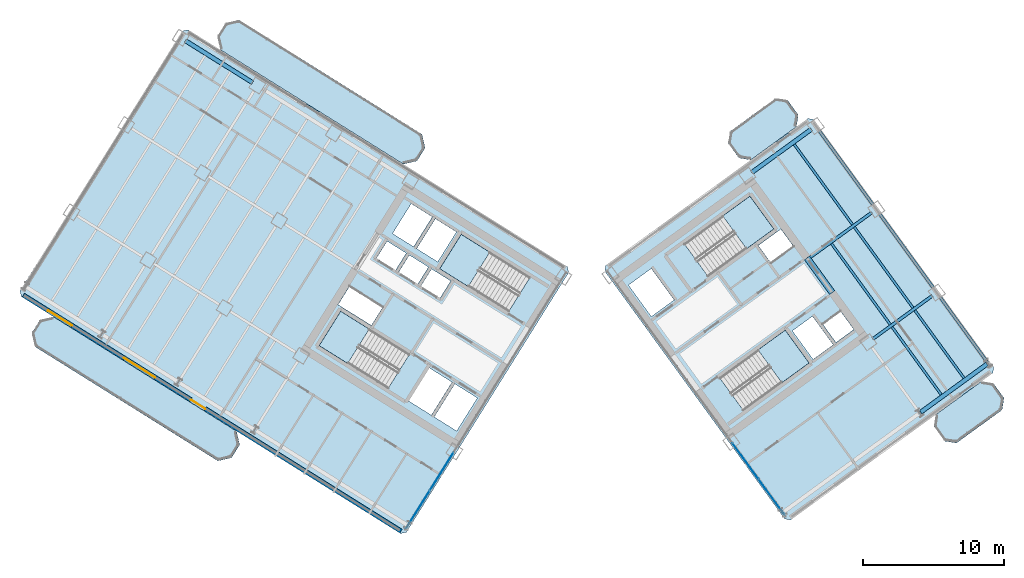
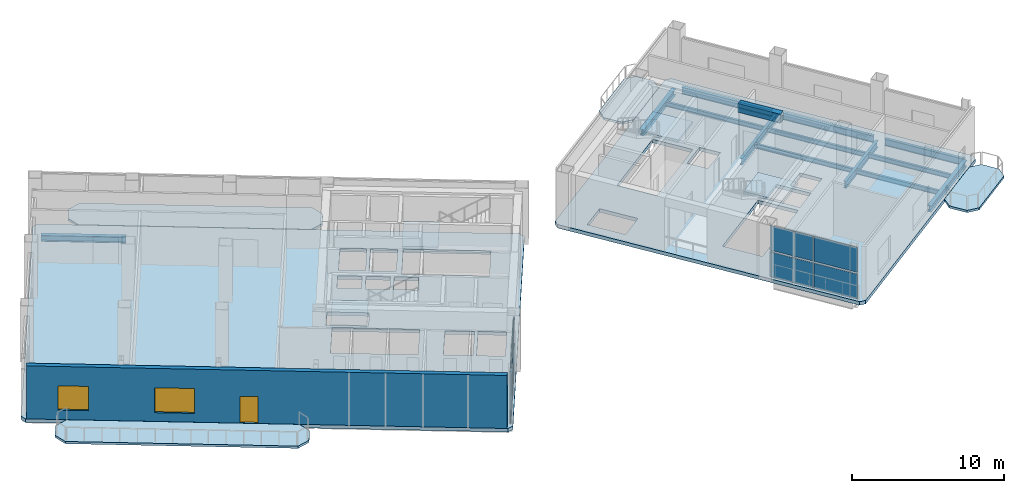
# One storey, part 9 of 18: 14 beams, 10 slabs, 8 plates, 2 windows, 1 door, 1 wall, 3 openings, 6 elements without a shape of their own.
"""IFC4 building model written with IfcOpenShell, lengths in metres."""

from ifc_helpers import new_model, si_unit, direction, frame, frame_2d, origin, origin_2d, place, context, subcontext, project, spatial, polyline, rectangle, i_section, outline, extrude, source, transform, mapped, material, layer, layer_set, material_profile, profile_set, type_object, element, fill, aggregate, save


model = new_model("IFC4")

# Units and contexts
model_context = context("Model", 3, precision=1e-05, world=origin(), true_north=direction((0.0, 1.0)))
body_context = subcontext(model_context, "Body", "Model", "MODEL_VIEW")
ifc_project = project(units=[si_unit("LENGTHUNIT", "METRE"), si_unit("AREAUNIT", "SQUARE_METRE"), si_unit("VOLUMEUNIT", "CUBIC_METRE"), si_unit("PLANEANGLEUNIT", "RADIAN"), si_unit("MASSUNIT", "GRAM", prefix="KILO")], contexts=[model_context])

# Site, building, storey
site_placement = place(None, origin())
site = spatial("IfcSite", under=ifc_project, at=site_placement, CompositionType="ELEMENT")
building_placement = place(site_placement, origin())
building = spatial("IfcBuilding", under=site, at=building_placement, Name="Tlacorven Tower", CompositionType="ELEMENT")
storey_placement = place(building_placement, frame((0.0, 0.0, 136.199951171875)))
storey = spatial("IfcBuildingStorey", under=building, at=storey_placement, Name="L34", CompositionType="ELEMENT", Elevation=136.199951171875)

# Beams
ifc_material_1 = material(Name="Concrete C60/75", Category="concrete")
ifc_material_profile_1 = material_profile(ifc_material_1, rectangle(XDim=0.449951171875, YDim=0.699951171875, at=origin_2d()), Name="RC 450X700")
ifc_profile_set_1 = profile_set([ifc_material_profile_1], Name="Concrete C60/75")
beam_type_1 = type_object("IfcBeamType", Name="BM-LNT-700", PredefinedType="LINTEL", material=ifc_profile_set_1)
shared_shape_1 = source(origin(), body_context, "Body", "SweptSolid", [
    extrude(rectangle(XDim=0.449951171875, YDim=0.699951171875, at=origin_2d()), origin(), (0.0, 0.0, 1.0), 3.050048828125),
])
beam_1_placement = place(storey_placement, frame((59.856689453125, 23.345947265625, 3.900146484375), z_axis=(-0.587776590479, 0.80902328748, 0.0), x_axis=(-0.80902328748, -0.587776590479, 0.0)))
element("IfcBeam", 1, at=beam_1_placement, inside=storey, type_object=beam_type_1, Name="L34 E core coupling lintel beam E2", PredefinedType="LINTEL", context=body_context, shape_type="MappedRepresentation", body=[
    mapped(shared_shape_1, transform((0.0, 0.0, 0.0), scale=1.0)),
])
ifc_material_2 = material(Name="Steel S355J2", Category="steel")
ifc_material_profile_2 = material_profile(ifc_material_2, i_section(OverallWidth=0.300048828125, OverallDepth=0.489990234375, WebThickness=0.011962890625, FlangeThickness=0.02294921875, at=origin_2d()), Name="HEA 500")
ifc_profile_set_2 = profile_set([ifc_material_profile_2], Name="Steel S355J2")
beam_type_2 = type_object("IfcBeamType", Name="BM-SPN-500", PredefinedType="SPANDREL", material=ifc_profile_set_2)
shared_shape_2 = source(origin(), body_context, "Body", "SweptSolid", [
    extrude(i_section(OverallWidth=0.300048828125, OverallDepth=0.489990234375, WebThickness=0.011962890625, FlangeThickness=0.02294921875, at=origin_2d()), origin(), (0.0, 0.0, 1.0), 5.800048828125),
])
beam_2_placement = place(storey_placement, frame((66.138671875, 14.86962890625, -0.52490234375), z_axis=(0.809019944521, 0.587781191743, 0.0), x_axis=(-0.587781191743, 0.809019944521, 0.0)))
element("IfcBeam", 2, at=beam_2_placement, inside=storey, type_object=beam_type_2, Name="L34 beam BM-L34-EL1-3", PredefinedType="SPANDREL", context=body_context, shape_type="MappedRepresentation", body=[
    mapped(shared_shape_2, transform((0.0, 0.0, 0.0), scale=1.0)),
])
shared_shape_3 = source(origin(), body_context, "Body", "SweptSolid", [
    extrude(i_section(OverallWidth=0.300048828125, OverallDepth=0.489990234375, WebThickness=0.011962890625, FlangeThickness=0.02294921875, at=origin_2d()), origin(), (0.0, 0.0, 1.0), 5.599853515625),
])
beam_3_placement = place(storey_placement, frame((18.733642578125, 38.246337890625, -0.52490234375), z_axis=(-0.848047285686, 0.529920561254, 0.0), x_axis=(-0.529920561254, -0.848047285686, 0.0)))
element("IfcBeam", 3, at=beam_3_placement, inside=storey, type_object=beam_type_2, Name="L34 beam BM-L34-WL1-5", PredefinedType="SPANDREL", context=body_context, shape_type="MappedRepresentation", body=[
    mapped(shared_shape_3, transform((0.0, 0.0, 0.0), scale=1.0)),
])
ifc_material_profile_3 = material_profile(ifc_material_2, i_section(OverallWidth=0.2099609375, OverallDepth=0.550048828125, WebThickness=0.010986328125, FlangeThickness=0.01708984375, at=origin_2d()), Name="IPE 550")
ifc_profile_set_3 = profile_set([ifc_material_profile_3], Name="Steel S355J2")
beam_type_3 = type_object("IfcBeamType", Name="BM-TWR-550", PredefinedType="BEAM", material=ifc_profile_set_3)
shared_shape_4 = source(origin(), body_context, "Body", "SweptSolid", [
    extrude(i_section(OverallWidth=0.2099609375, OverallDepth=0.550048828125, WebThickness=0.010986328125, FlangeThickness=0.01708984375, at=origin_2d()), origin(), (0.0, 0.0, 1.0), 5.7001953125),
])
beam_4_placement = place(storey_placement, frame((70.853271484375, 18.41845703125, -0.554931640625), z_axis=(-0.587766699507, 0.809030473438, 0.0), x_axis=(-0.809030473438, -0.587766699507, 0.0)))
element("IfcBeam", 4, at=beam_4_placement, inside=storey, type_object=beam_type_3, Name="L34 beam BM-L34-ET4-1", PredefinedType="BEAM", context=body_context, shape_type="MappedRepresentation", body=[
    mapped(shared_shape_4, transform((0.0, 0.0, 0.0), scale=1.0)),
])
shared_shape_5 = source(origin(), body_context, "Body", "SweptSolid", [
    extrude(i_section(OverallWidth=0.2099609375, OverallDepth=0.550048828125, WebThickness=0.010986328125, FlangeThickness=0.01708984375, at=origin_2d()), origin(), (0.0, 0.0, 1.0), 6.5),
])
for number, where, z_axis, x_axis, name in (
    (5, (67.03271484375, 23.67724609375, -0.554931640625), (-0.587809847215, 0.808999124547, 0.0), (-0.808999124547, -0.587809847215, 0.0), "L34 beam BM-L34-ET4-2"),
    (6, (62.74169921875, 29.5830078125, -0.554931640625), (-0.587785264321, 0.809016985636, 0.0), (-0.809016985636, -0.587785264321, 0.0), "L34 beam BM-L34-ET4-3"),
):
    element("IfcBeam", number, at=place(storey_placement, frame(where, z_axis=z_axis, x_axis=x_axis)), inside=storey, type_object=beam_type_3, Name=name, PredefinedType="BEAM", context=body_context, shape_type="MappedRepresentation", body=[
        mapped(shared_shape_5, transform((0.0, 0.0, 0.0), scale=1.0)),
    ])
ifc_material_profile_4 = material_profile(ifc_material_2, i_section(OverallWidth=0.169921875, OverallDepth=0.360107421875, WebThickness=0.008056640625, FlangeThickness=0.0126953125, at=origin_2d()), Name="IPE 360")
ifc_profile_set_4 = profile_set([ifc_material_profile_4], Name="Steel S355J2")
beam_type_4 = type_object("IfcBeamType", Name="BM-JST-360", PredefinedType="JOIST", material=ifc_profile_set_4)
shared_shape_6 = source(origin(), body_context, "Body", "SweptSolid", [
    extrude(i_section(OverallWidth=0.169921875, OverallDepth=0.360107421875, WebThickness=0.008056640625, FlangeThickness=0.0126953125, at=origin_2d()), origin(), (0.0, 0.0, 1.0), 5.93505859375),
])
for number, where, z_axis, x_axis, name in (
    (7, (67.584716796875, 16.11181640625, -0.4599609375), (-0.58778762431, 0.809015270998, 0.0), (-0.809015270998, -0.58778762431, 0.0), "L34 beam BM-L34-EJ3-1-1"),
    (8, (69.202880859375, 17.287353515625, -0.4599609375), (-0.58778762431, 0.809015270998, 0.0), (-0.809015270998, -0.58778762431, 0.0), "L34 beam BM-L34-EJ3-1-2"),
):
    element("IfcBeam", number, at=place(storey_placement, frame(where, z_axis=z_axis, x_axis=x_axis)), inside=storey, type_object=beam_type_4, Name=name, PredefinedType="JOIST", context=body_context, shape_type="MappedRepresentation", body=[
        mapped(shared_shape_6, transform((0.0, 0.0, 0.0), scale=1.0)),
    ])
shared_shape_7 = source(origin(), body_context, "Body", "SweptSolid", [
    extrude(i_section(OverallWidth=0.169921875, OverallDepth=0.360107421875, WebThickness=0.008056640625, FlangeThickness=0.0126953125, at=origin_2d()), origin(), (0.0, 0.0, 1.0), 7.080078125),
])
beam_5_placement = place(storey_placement, frame((65.5849609375, 22.266845703125, -0.4599609375), z_axis=(-0.587759505125, 0.809035700161, 0.0), x_axis=(-0.809035700161, -0.587759505125, 0.0)))
element("IfcBeam", 9, at=beam_5_placement, inside=storey, type_object=beam_type_4, Name="L34 beam BM-L34-EJ3-2-2", PredefinedType="JOIST", context=body_context, shape_type="MappedRepresentation", body=[
    mapped(shared_shape_7, transform((0.0, 0.0, 0.0), scale=1.0)),
])
shared_shape_8 = source(origin(), body_context, "Body", "SweptSolid", [
    extrude(i_section(OverallWidth=0.2099609375, OverallDepth=0.550048828125, WebThickness=0.010986328125, FlangeThickness=0.01708984375, at=origin_2d()), origin(), (0.0, 0.0, 1.0), 5.56005859375),
])
beam_6_placement = place(storey_placement, frame((58.155029296875, 25.756103515625, -0.554931640625), z_axis=(0.809028396397, 0.587769558435, 0.0), x_axis=(-0.587769558435, 0.809028396397, 0.0)))
element("IfcBeam", 10, at=beam_6_placement, inside=storey, type_object=beam_type_3, Name="L34 beam BM-L34-EL3-3", PredefinedType="BEAM", context=body_context, shape_type="MappedRepresentation", body=[
    mapped(shared_shape_8, transform((0.0, 0.0, 0.0), scale=1.0)),
])
shared_shape_9 = source(origin(), body_context, "Body", "SweptSolid", [
    extrude(i_section(OverallWidth=0.169921875, OverallDepth=0.360107421875, WebThickness=0.008056640625, FlangeThickness=0.0126953125, at=origin_2d()), origin(), (0.0, 0.0, 1.0), 7.034912109375),
])
beam_7_placement = place(storey_placement, frame((61.294189453125, 28.1728515625, -0.4599609375), z_axis=(-0.587781631373, 0.809019625115, 0.0), x_axis=(-0.809019625115, -0.587781631373, 0.0)))
element("IfcBeam", 11, at=beam_7_placement, inside=storey, type_object=beam_type_4, Name="L34 beam BM-L34-EJ3-3-2", PredefinedType="JOIST", context=body_context, shape_type="MappedRepresentation", body=[
    mapped(shared_shape_9, transform((0.0, 0.0, 0.0), scale=1.0)),
])
shared_shape_10 = source(origin(), body_context, "Body", "SweptSolid", [
    extrude(i_section(OverallWidth=0.2099609375, OverallDepth=0.550048828125, WebThickness=0.010986328125, FlangeThickness=0.01708984375, at=origin_2d()), origin(), (0.0, 0.0, 1.0), 5.199951171875),
])
beam_8_placement = place(storey_placement, frame((62.7373046875, 20.06201171875, -0.554931640625), z_axis=(0.809018206713, 0.587783583648, 0.0), x_axis=(-0.587783583648, 0.809018206713, 0.0)))
element("IfcBeam", 12, at=beam_8_placement, inside=storey, type_object=beam_type_3, Name="L34 beam BM-L34-EL2-3", PredefinedType="BEAM", context=body_context, shape_type="MappedRepresentation", body=[
    mapped(shared_shape_10, transform((0.0, 0.0, 0.0), scale=1.0)),
])
shared_shape_11 = source(origin(), body_context, "Body", "SweptSolid", [
    extrude(i_section(OverallWidth=0.300048828125, OverallDepth=0.489990234375, WebThickness=0.011962890625, FlangeThickness=0.02294921875, at=origin_2d()), origin(), (0.0, 0.0, 1.0), 5.2001953125),
])
beam_9_placement = place(storey_placement, frame((54.155517578125, 31.87353515625, -0.52490234375), z_axis=(0.80901210161, 0.587791986546, 0.0), x_axis=(-0.587791986546, 0.80901210161, 0.0)))
element("IfcBeam", 13, at=beam_9_placement, inside=storey, type_object=beam_type_2, Name="L34 beam BM-L34-EL4-3", PredefinedType="SPANDREL", context=body_context, shape_type="MappedRepresentation", body=[
    mapped(shared_shape_11, transform((0.0, 0.0, 0.0), scale=1.0)),
])
shared_shape_12 = source(origin(), body_context, "Body", "SweptSolid", [
    extrude(i_section(OverallWidth=0.169921875, OverallDepth=0.360107421875, WebThickness=0.008056640625, FlangeThickness=0.0126953125, at=origin_2d()), origin(), (0.0, 0.0, 1.0), 7.080322265625),
])
beam_10_placement = place(storey_placement, frame((63.967041015625, 21.09130859375, -0.4599609375), z_axis=(-0.587782074775, 0.809019302967, 0.0), x_axis=(-0.809019302967, -0.587782074775, 0.0)))
element("IfcBeam", 14, at=beam_10_placement, inside=storey, type_object=beam_type_4, Name="L34 beam BM-L34-EJ3-2-1", PredefinedType="JOIST", context=body_context, shape_type="MappedRepresentation", body=[
    mapped(shared_shape_12, transform((0.0, 0.0, 0.0), scale=1.0)),
])

# Slabs
ifc_material_3 = material(Name="Precast concrete C45/55", Category="concrete")
ifc_layer_1 = layer(ifc_material_3, 0.179931640625)
ifc_layer_set_1 = layer_set([ifc_layer_1], Name="Precast concrete C45/55")
slab_type_1 = type_object("IfcSlabType", Name="SL-BAL-180", PredefinedType="USERDEFINED", material=ifc_layer_set_1)
slab_1_placement = place(storey_placement, frame((0.0, 0.0, -0.179931640625)))
element("IfcSlab", 15, at=slab_1_placement, inside=storey, type_object=slab_type_1, Name="L34 West Wing Balcony Ribbon OUT", ObjectType="BALCONY SLAB", PredefinedType="USERDEFINED", context=body_context, shape_type="SweptSolid", body=[
    extrude(outline(polyline([(17.601318359375, 13.52490234375), (4.626220703125, 21.632568359375), (3.66162109375, 21.409912109375), (3.081298828125, 20.4814453125), (3.303955078125, 19.516845703125), (16.279052734375, 11.408935546875), (17.24365234375, 11.6318359375), (17.823974609375, 12.560302734375), (17.601318359375, 13.52490234375)])), origin(), (0.0, 0.0, 1.0), 0.179931640625),
])
slab_2_placement = place(storey_placement, frame((0.0, 0.0, -0.179931640625)))
element("IfcSlab", 16, at=slab_2_placement, inside=storey, type_object=slab_type_1, Name="L34 West Wing Balcony Ribbon IN", ObjectType="BALCONY SLAB", PredefinedType="USERDEFINED", context=body_context, shape_type="SweptSolid", body=[
    extrude(outline(polyline([(30.756591796875, 34.57763671875), (17.781494140625, 42.685546875), (16.81689453125, 42.462890625), (16.236572265625, 41.5341796875), (16.459228515625, 40.569580078125), (29.434326171875, 32.4619140625), (30.39892578125, 32.6845703125), (30.979248046875, 33.613037109375), (30.756591796875, 34.57763671875)])), origin(), (0.0, 0.0, 1.0), 0.179931640625),
])
slab_3_placement = place(storey_placement, frame((0.0, 0.0, -0.179931640625)))
element("IfcSlab", 17, at=slab_3_placement, inside=storey, type_object=slab_type_1, Name="L34 East Wing Balcony Ribbon OUT", ObjectType="BALCONY SLAB", PredefinedType="USERDEFINED", context=body_context, shape_type="SweptSolid", body=[
    extrude(outline(polyline([(68.669921875, 12.678955078125), (71.906005859375, 15.0302734375), (72.03857421875, 15.8681640625), (71.27734375, 16.916015625), (70.439453125, 17.048583984375), (67.203369140625, 14.697509765625), (67.070556640625, 13.859375), (67.831787109375, 12.811767578125), (68.669921875, 12.678955078125)])), origin(), (0.0, 0.0, 1.0), 0.179931640625),
])
slab_4_placement = place(storey_placement, frame((0.0, 0.0, -0.179931640625)))
element("IfcSlab", 18, at=slab_4_placement, inside=storey, type_object=slab_type_1, Name="L34 East Wing Balcony Ribbon IN", ObjectType="BALCONY SLAB", PredefinedType="USERDEFINED", context=body_context, shape_type="SweptSolid", body=[
    extrude(outline(polyline([(54.078125, 32.762939453125), (57.314208984375, 35.114013671875), (57.44677734375, 35.9521484375), (56.685791015625, 36.999755859375), (55.84765625, 37.132568359375), (52.611572265625, 34.78125), (52.478759765625, 33.943359375), (53.239990234375, 32.8955078125), (54.078125, 32.762939453125)])), origin(), (0.0, 0.0, 1.0), 0.179931640625),
])

# Stair, slab
ifc_material_4 = material(Name="Concrete C40/50", Category="concrete")
stair_type = type_object("IfcStairType", Name="ST-CORE-DLG", PredefinedType="HALF_TURN_STAIR", material=ifc_material_4)
stair_1_placement = place(storey_placement, origin())
stair_1 = element("IfcStair", 19, at=stair_1_placement, inside=storey, type_object=stair_type, Name="L34 Protected Exit Stair West 1", PredefinedType="HALF_TURN_STAIR")
ifc_layer_2 = layer(ifc_material_4, 0.199951171875)
ifc_layer_set_2 = layer_set([ifc_layer_2], Name="Concrete C40/50")
slab_type_2 = type_object("IfcSlabType", Name="SL-LND-200", PredefinedType="LANDING", material=ifc_layer_set_2)
slab_5_placement = place(storey_placement, frame((0.0, 0.0, 2.050048828125)))
slab_5 = element("IfcSlab", 20, at=slab_5_placement, type_object=slab_type_2, Name="ST-W1 landing 1", PredefinedType="LANDING", context=body_context, shape_type="SweptSolid", body=[
    extrude(outline(polyline([(27.01611328125, 20.76025390625), (24.9892578125, 22.02685546875), (23.463134765625, 19.58447265625), (25.489990234375, 18.31787109375), (27.01611328125, 20.76025390625)])), origin(), (0.0, 0.0, 1.0), 0.199951171875),
])
aggregate(stair_1, [slab_5])

stair_2_placement = place(storey_placement, origin())
stair_2 = element("IfcStair", 21, at=stair_2_placement, inside=storey, type_object=stair_type, Name="L34 Protected Exit Stair West 2", PredefinedType="HALF_TURN_STAIR")
slab_6_placement = place(storey_placement, frame((0.0, 0.0, 2.050048828125)))
slab_6 = element("IfcSlab", 22, at=slab_6_placement, type_object=slab_type_2, Name="ST-W2 landing 1", PredefinedType="LANDING", context=body_context, shape_type="SweptSolid", body=[
    extrude(outline(polyline([(35.567626953125, 26.218017578125), (33.540771484375, 27.484375), (32.0146484375, 25.0419921875), (34.04150390625, 23.775634765625), (35.567626953125, 26.218017578125)])), origin(), (0.0, 0.0, 1.0), 0.199951171875),
])
aggregate(stair_2, [slab_6])

stair_3_placement = place(storey_placement, origin())
stair_3 = element("IfcStair", 23, at=stair_3_placement, inside=storey, type_object=stair_type, Name="L34 Protected Exit Stair East 1", PredefinedType="HALF_TURN_STAIR")
slab_7_placement = place(storey_placement, frame((0.0, 0.0, 2.050048828125)))
slab_7 = element("IfcSlab", 24, at=slab_7_placement, type_object=slab_type_2, Name="ST-E1 landing 1", PredefinedType="LANDING", context=body_context, shape_type="SweptSolid", body=[
    extrude(outline(polyline([(53.77734375, 26.456787109375), (55.7109375, 27.861572265625), (54.01806640625, 30.19140625), (52.08447265625, 28.78662109375), (53.77734375, 26.456787109375)])), origin(), (0.0, 0.0, 1.0), 0.199951171875),
])
aggregate(stair_3, [slab_7])

stair_4_placement = place(storey_placement, origin())
stair_4 = element("IfcStair", 25, at=stair_4_placement, inside=storey, type_object=stair_type, Name="L34 Protected Exit Stair East 2", PredefinedType="HALF_TURN_STAIR")
slab_8_placement = place(storey_placement, frame((0.0, 0.0, 2.050048828125)))
slab_8 = element("IfcSlab", 26, at=slab_8_placement, type_object=slab_type_2, Name="ST-E2 landing 1", PredefinedType="LANDING", context=body_context, shape_type="SweptSolid", body=[
    extrude(outline(polyline([(56.28125, 16.95361328125), (58.21484375, 18.3583984375), (56.52197265625, 20.6884765625), (54.58837890625, 19.283447265625), (56.28125, 16.95361328125)])), origin(), (0.0, 0.0, 1.0), 0.199951171875),
])
aggregate(stair_4, [slab_8])

# Slabs
ifc_material_5 = material(Name="Concrete C50/60", Category="concrete")
ifc_layer_3 = layer(ifc_material_5, 0.280029296875)
ifc_layer_set_3 = layer_set([ifc_layer_3], Name="Concrete C50/60")
slab_type_3 = type_object("IfcSlabType", Name="SL-WND-280", PredefinedType="FLOOR", material=ifc_layer_set_3)
slab_9_placement = place(storey_placement, frame((0.0, 0.0, -0.280029296875)))
element("IfcSlab", 27, at=slab_9_placement, inside=storey, type_object=slab_type_3, Name="L34 West Wing Portal Floor Slab", PredefinedType="FLOOR", context=body_context, shape_type="SweptSolid", body=[
    extrude(outline(polyline([(41.06689453125, 25.18701171875), (14.1669921875, 41.99609375), (13.75341796875, 41.900634765625), (2.24365234375, 23.481201171875), (2.339111328125, 23.067626953125), (29.2392578125, 6.258544921875), (29.652587890625, 6.35400390625), (41.162353515625, 24.773681640625), (41.06689453125, 25.18701171875)]), holes=[polyline([(29.865478515625, 18.979736328125), (24.9892578125, 22.02685546875), (23.463134765625, 19.58447265625), (28.33935546875, 16.537353515625), (29.865478515625, 18.979736328125)]), polyline([(38.4169921875, 24.4375), (33.540771484375, 27.484375), (32.0146484375, 25.0419921875), (36.890869140625, 21.9951171875), (38.4169921875, 24.4375)]), polyline([(34.682373046875, 15.87548828125), (33.088134765625, 16.871826171875), (31.62548828125, 14.531005859375), (33.2197265625, 13.534912109375), (34.682373046875, 15.87548828125)]), polyline([(32.884521484375, 16.9990234375), (31.2392578125, 18.02685546875), (29.77685546875, 15.686279296875), (31.421875, 14.658203125), (32.884521484375, 16.9990234375)]), polyline([(33.197265625, 27.65185546875), (31.704833984375, 28.58447265625), (30.3798828125, 26.46435546875), (31.87255859375, 25.53173828125), (33.197265625, 27.65185546875)]), polyline([(31.484375, 28.722412109375), (29.99169921875, 29.655029296875), (28.6669921875, 27.534912109375), (30.159423828125, 26.602294921875), (31.484375, 28.722412109375)]), polyline([(32.794921875, 24.17724609375), (31.43798828125, 25.025146484375), (30.685546875, 23.82080078125), (32.042236328125, 22.972900390625), (32.794921875, 24.17724609375)]), polyline([(31.217529296875, 25.162841796875), (29.860595703125, 26.0107421875), (29.108154296875, 24.806396484375), (30.465087890625, 23.958740234375), (31.217529296875, 25.162841796875)]), polyline([(29.64013671875, 26.1484375), (28.283203125, 26.996337890625), (27.53076171875, 25.792236328125), (28.8876953125, 24.9443359375), (29.64013671875, 26.1484375)]), polyline([(27.96142578125, 22.2919921875), (25.603759765625, 23.76513671875), (24.80908203125, 22.4931640625), (27.16650390625, 21.02001953125), (27.96142578125, 22.2919921875)])]), origin(), (0.0, 0.0, 1.0), 0.280029296875),
])
slab_10_placement = place(storey_placement, frame((0.0, 0.0, -0.280029296875)))
element("IfcSlab", 28, at=slab_10_placement, inside=storey, type_object=slab_type_3, Name="L34 East Wing Portal Floor Slab", PredefinedType="FLOOR", context=body_context, shape_type="SweptSolid", body=[
    extrude(outline(polyline([(56.90966796875, 7.224853515625), (71.245361328125, 17.640380859375), (71.311767578125, 18.0595703125), (58.545166015625, 35.63134765625), (58.1259765625, 35.69775390625), (43.790283203125, 25.2822265625), (43.723876953125, 24.86328125), (56.49072265625, 7.291259765625), (56.90966796875, 7.224853515625)]), holes=[polyline([(51.05908203125, 24.481689453125), (55.7109375, 27.861572265625), (54.01806640625, 30.19140625), (49.3662109375, 26.811767578125), (51.05908203125, 24.481689453125)]), polyline([(53.56298828125, 14.978759765625), (58.21484375, 18.3583984375), (56.52197265625, 20.6884765625), (51.8701171875, 17.30859375), (53.56298828125, 14.978759765625)]), polyline([(47.0234375, 21.648681640625), (48.6416015625, 22.82421875), (47.019287109375, 25.05712890625), (45.401123046875, 23.881591796875), (47.0234375, 21.648681640625)]), polyline([(58.498779296875, 18.614013671875), (59.922607421875, 19.648681640625), (58.453125, 21.671142578125), (57.029296875, 20.63671875), (58.498779296875, 18.614013671875)]), polyline([(55.490478515625, 25.4765625), (57.092529296875, 26.640380859375), (56.210693359375, 27.85400390625), (54.60888671875, 26.690185546875), (55.490478515625, 25.4765625)]), polyline([(60.12109375, 19.817626953125), (61.38330078125, 20.734619140625), (60.45458984375, 22.012939453125), (59.192626953125, 21.095947265625), (60.12109375, 19.817626953125)])]), origin(), (0.0, 0.0, 1.0), 0.280029296875),
])

# Curtain wall, plates
ifc_material_6 = material(Name="Dark solar low-E double glazing in aluminium frame", Category="aluminium")
curtain_wall_type = type_object("IfcCurtainWallType", Name="CW-COM-AMENITY", PredefinedType="USERDEFINED", material=ifc_material_6)
curtain_wall_1_placement = place(storey_placement, origin())
curtain_wall_1 = element("IfcCurtainWall", 29, at=curtain_wall_1_placement, inside=storey, type_object=curtain_wall_type, Name="L34 CW-COM-AMENITY Curtain Wall 159", ObjectType="UNITISED CURTAIN WALL", PredefinedType="USERDEFINED")
ifc_material_7 = material(Name="Dark solar acoustic laminated low-E glazing", Category="glass")
ifc_layer_4 = layer(ifc_material_7, 0.035888671875)
ifc_layer_set_4 = layer_set([ifc_layer_4], Name="Dark solar acoustic laminated low-E glazing")
plate_type = type_object("IfcPlateType", Name="CWP-01", PredefinedType="CURTAIN_PANEL", material=ifc_layer_set_4)
shared_shape_13 = source(origin(), body_context, "Body", "SweptSolid", [
    extrude(rectangle(XDim=3.122314453125, YDim=0.035888671875, at=origin_2d()), origin(), (0.0, 0.0, 1.0), 1.98291015625),
])
plate_1_placement = place(storey_placement, frame((32.146728515625, 10.647705078125, 0.071044921875), z_axis=(0.0, 0.0, 1.0), x_axis=(-0.529919272078, -0.848048091255, 0.0)))
plate_1 = element("IfcPlate", 30, at=plate_1_placement, type_object=plate_type, Name="CW-L34-159 Glazing Panel 1", PredefinedType="CURTAIN_PANEL", context=body_context, shape_type="MappedRepresentation", body=[
    mapped(shared_shape_13, transform((0.0, 0.0, 0.0), scale=1.0)),
])
plate_2_placement = place(storey_placement, frame((32.146728515625, 10.647705078125, 2.196044921875), z_axis=(0.0, 0.0, 1.0), x_axis=(-0.529919272078, -0.848048091255, 0.0)))
plate_2 = element("IfcPlate", 31, at=plate_2_placement, type_object=plate_type, Name="CW-L34-159 Glazing Panel 2", PredefinedType="CURTAIN_PANEL", context=body_context, shape_type="MappedRepresentation", body=[
    mapped(shared_shape_13, transform((0.0, 0.0, 0.0), scale=1.0)),
])
plate_3_placement = place(storey_placement, frame((30.464599609375, 7.95556640625, 0.071044921875), z_axis=(0.0, 0.0, 1.0), x_axis=(-0.529919272078, -0.848048091255, 0.0)))
plate_3 = element("IfcPlate", 32, at=plate_3_placement, type_object=plate_type, Name="CW-L34-159 Glazing Panel 3", PredefinedType="CURTAIN_PANEL", context=body_context, shape_type="MappedRepresentation", body=[
    mapped(shared_shape_13, transform((0.0, 0.0, 0.0), scale=1.0)),
])
plate_4_placement = place(storey_placement, frame((30.464599609375, 7.95556640625, 2.196044921875), z_axis=(0.0, 0.0, 1.0), x_axis=(-0.529919272078, -0.848048091255, 0.0)))
plate_4 = element("IfcPlate", 33, at=plate_4_placement, type_object=plate_type, Name="CW-L34-159 Glazing Panel 4", PredefinedType="CURTAIN_PANEL", context=body_context, shape_type="MappedRepresentation", body=[
    mapped(shared_shape_13, transform((0.0, 0.0, 0.0), scale=1.0)),
])
aggregate(curtain_wall_1, [plate_1, plate_2, plate_3, plate_4])

curtain_wall_2_placement = place(storey_placement, origin())
curtain_wall_2 = element("IfcCurtainWall", 34, at=curtain_wall_2_placement, inside=storey, type_object=curtain_wall_type, Name="L34 CW-COM-AMENITY Curtain Wall 160", ObjectType="UNITISED CURTAIN WALL", PredefinedType="USERDEFINED")
plate_5_placement = place(storey_placement, frame((55.56884765625, 8.832275390625, 0.071044921875), z_axis=(0.0, 0.0, 1.0), x_axis=(-0.587785363163, 0.809016913823, 0.0)))
plate_5 = element("IfcPlate", 35, at=plate_5_placement, type_object=plate_type, Name="CW-L34-160 Glazing Panel 1", PredefinedType="CURTAIN_PANEL", context=body_context, shape_type="MappedRepresentation", body=[
    mapped(shared_shape_13, transform((0.0, 0.0, 0.0), scale=1.0)),
])
plate_6_placement = place(storey_placement, frame((55.56884765625, 8.832275390625, 2.196044921875), z_axis=(0.0, 0.0, 1.0), x_axis=(-0.587785363163, 0.809016913823, 0.0)))
plate_6 = element("IfcPlate", 36, at=plate_6_placement, type_object=plate_type, Name="CW-L34-160 Glazing Panel 2", PredefinedType="CURTAIN_PANEL", context=body_context, shape_type="MappedRepresentation", body=[
    mapped(shared_shape_13, transform((0.0, 0.0, 0.0), scale=1.0)),
])
plate_7_placement = place(storey_placement, frame((53.702880859375, 11.400390625, 0.071044921875), z_axis=(0.0, 0.0, 1.0), x_axis=(-0.587785363163, 0.809016913823, 0.0)))
plate_7 = element("IfcPlate", 37, at=plate_7_placement, type_object=plate_type, Name="CW-L34-160 Glazing Panel 3", PredefinedType="CURTAIN_PANEL", context=body_context, shape_type="MappedRepresentation", body=[
    mapped(shared_shape_13, transform((0.0, 0.0, 0.0), scale=1.0)),
])
plate_8_placement = place(storey_placement, frame((53.702880859375, 11.400390625, 2.196044921875), z_axis=(0.0, 0.0, 1.0), x_axis=(-0.587785363163, 0.809016913823, 0.0)))
plate_8 = element("IfcPlate", 38, at=plate_8_placement, type_object=plate_type, Name="CW-L34-160 Glazing Panel 4", PredefinedType="CURTAIN_PANEL", context=body_context, shape_type="MappedRepresentation", body=[
    mapped(shared_shape_13, transform((0.0, 0.0, 0.0), scale=1.0)),
])
aggregate(curtain_wall_2, [plate_5, plate_6, plate_7, plate_8])

# Wall, openings, door, windows
ifc_layer_5 = layer(ifc_material_3, 0.320068359375)
ifc_layer_set_5 = layer_set([ifc_layer_5], Name="Precast concrete C45/55")
wall_type = type_object("IfcWallType", Name="WL-EXT-320", PredefinedType="STANDARD", material=ifc_layer_set_5)
wall_placement = place(storey_placement, frame((29.267822265625, 6.429443359375, 0.0), z_axis=(0.0, 0.0, 1.0), x_axis=(-0.848049971435, 0.529916263149, 0.0)))
wall = element("IfcWall", 39, at=wall_placement, inside=storey, type_object=wall_type, Name="L34 Masonry-Frame Recessed Facade Wall 1", PredefinedType="STANDARD", context=body_context, shape_type="SweptSolid", body=[
    extrude(rectangle(XDim=31.587646484375, YDim=0.320068359375, at=frame_2d((15.7939453125, 0.0))), origin(), (0.0, 0.0, 1.0), 4.25),
])
opening_1_placement = place(wall_placement, frame((16.373779296875, 0.0, 0.0)))
opening_1 = element("IfcOpeningElement", 40, at=opening_1_placement, cuts=wall, Name="Opening D05", PredefinedType="OPENING", context=body_context, shape_type="SweptSolid", body=[
    extrude(rectangle(XDim=1.199951171875, YDim=2.14990234375, at=frame_2d((0.60009765625, 1.074951171875))), frame((0.0, 0.169921875, 0.0), z_axis=(0.0, -1.0, 0.0), x_axis=(1.0, 0.0, 0.0)), (0.0, 0.0, 1.0), 0.340087890625),
])
opening_2_placement = place(wall_placement, frame((20.561279296875, 0.0, 0.699951171875)))
opening_2 = element("IfcOpeningElement", 41, at=opening_2_placement, cuts=wall, Name="Opening WN10", PredefinedType="OPENING", context=body_context, shape_type="SweptSolid", body=[
    extrude(rectangle(XDim=2.60009765625, YDim=2.0, at=frame_2d((1.300048828125, 1.0))), frame((0.0, 0.169921875, 0.0), z_axis=(0.0, -1.0, 0.0), x_axis=(1.0, 0.0, 0.0)), (0.0, 0.0, 1.0), 0.340087890625),
])
opening_3_placement = place(wall_placement, frame((27.515625, 0.0, 0.75)))
opening_3 = element("IfcOpeningElement", 42, at=opening_3_placement, cuts=wall, Name="Opening WN11", PredefinedType="OPENING", context=body_context, shape_type="SweptSolid", body=[
    extrude(rectangle(XDim=2.0, YDim=1.949951171875, at=frame_2d((1.0, 0.97509765625))), frame((0.0, 0.169921875, 0.0), z_axis=(0.0, -1.0, 0.0), x_axis=(1.0, 0.0, 0.0)), (0.0, 0.0, 1.0), 0.340087890625),
])
ifc_material_8 = material(Name="Powder-coated aluminium and timber door", Category="wood")
door_type = type_object("IfcDoorType", Name="DR-EXT-BALC-1200", OperationType="NOTDEFINED", PredefinedType="DOOR", material=ifc_material_8)
shared_shape_14 = source(origin(), body_context, "Body", "SweptSolid", [
    extrude(rectangle(XDim=1.199951171875, YDim=2.14990234375, at=frame_2d((0.60009765625, 1.074951171875))), frame((0.0, 0.02490234375, 0.0), z_axis=(0.0, -1.0, 0.0), x_axis=(1.0, 0.0, 0.0)), (0.0, 0.0, 1.0), 0.050048828125),
])
door_placement = place(opening_1_placement, origin())
door = element("IfcDoor", 43, at=door_placement, inside=storey, type_object=door_type, Name="L34 Outdoor Access Door BAL-L34-W-OUT", OperationType="SINGLE_SWING_LEFT", OverallHeight=2.14990234375, OverallWidth=1.199951171875, PredefinedType="DOOR", context=body_context, shape_type="MappedRepresentation", body=[
    mapped(shared_shape_14, transform((0.0, 0.0, 0.0), scale=1.0)),
])
fill(opening_1, door)
ifc_material_9 = material(Name="Dark solar low-E double glazing in anodised aluminium frame", Category="aluminium")
window_type_1 = type_object("IfcWindowType", Name="WN-COM-2600X2200", PartitioningType="SINGLE_PANEL", PredefinedType="WINDOW", material=ifc_material_9)
shared_shape_15 = source(origin(), body_context, "Body", "SweptSolid", [
    extrude(rectangle(XDim=2.60009765625, YDim=2.0, at=frame_2d((1.300048828125, 1.0))), frame((0.0, 0.030029296875, 0.0), z_axis=(0.0, -1.0, 0.0), x_axis=(1.0, 0.0, 0.0)), (0.0, 0.0, 1.0), 0.06005859375),
])
window_1_placement = place(opening_2_placement, origin())
window_1 = element("IfcWindow", 44, at=window_1_placement, inside=storey, type_object=window_type_1, Name="L34 Recessed Masonry-Frame Window L34-01.1", OverallHeight=2.0, OverallWidth=2.60009765625, PartitioningType="SINGLE_PANEL", PredefinedType="WINDOW", context=body_context, shape_type="MappedRepresentation", body=[
    mapped(shared_shape_15, transform((0.0, 0.0, 0.0), scale=1.0)),
])
fill(opening_2, window_1)
window_type_2 = type_object("IfcWindowType", Name="WN-COM-2000X2100", PartitioningType="SINGLE_PANEL", PredefinedType="WINDOW", material=ifc_material_9)
shared_shape_16 = source(origin(), body_context, "Body", "SweptSolid", [
    extrude(rectangle(XDim=2.0, YDim=1.949951171875, at=frame_2d((1.0, 0.97509765625))), frame((0.0, 0.030029296875, 0.0), z_axis=(0.0, -1.0, 0.0), x_axis=(1.0, 0.0, 0.0)), (0.0, 0.0, 1.0), 0.06005859375),
])
window_2_placement = place(opening_3_placement, origin())
window_2 = element("IfcWindow", 45, at=window_2_placement, inside=storey, type_object=window_type_2, Name="L34 Recessed Masonry-Frame Window L34-01.2", OverallHeight=1.949951171875, OverallWidth=2.0, PartitioningType="SINGLE_PANEL", PredefinedType="WINDOW", context=body_context, shape_type="MappedRepresentation", body=[
    mapped(shared_shape_16, transform((0.0, 0.0, 0.0), scale=1.0)),
])
fill(opening_3, window_2)

save(model, "model.ifc")
